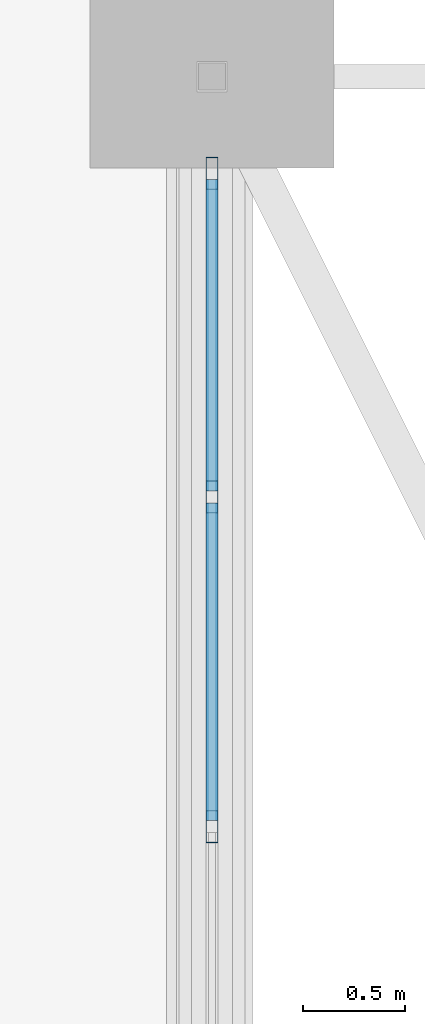
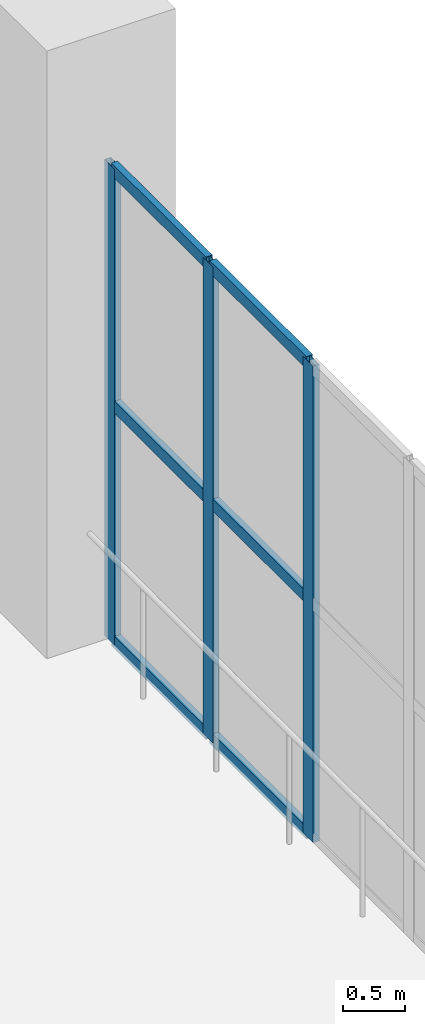
# One storey, part 116 of 223: 9 members, 1 element without a shape of its own.
"""IFC4 building model written with IfcOpenShell, lengths in metres."""

from ifc_helpers import new_model, si_unit, direction, frame, origin, origin_2d, place, context, subcontext, project, spatial, hollow_rectangle, extrude, material, layer, layer_set, material_profile, profile_set, type_object, element, aggregate, save


model = new_model("IFC4")

# Units and contexts
model_context = context("Model", 3, precision=1e-05, world=origin(), true_north=direction((0.0, 1.0)))
body_context = subcontext(model_context, "Body", "Model", "MODEL_VIEW")
ifc_project = project(units=[si_unit("LENGTHUNIT", "METRE"), si_unit("AREAUNIT", "SQUARE_METRE"), si_unit("VOLUMEUNIT", "CUBIC_METRE"), si_unit("PLANEANGLEUNIT", "RADIAN"), si_unit("MASSUNIT", "GRAM", prefix="KILO")], contexts=[model_context])

# Site, building, storey
site_placement = place(None, origin())
site = spatial("IfcSite", under=ifc_project, at=site_placement, CompositionType="ELEMENT")
building_placement = place(site_placement, origin())
building = spatial("IfcBuilding", under=site, at=building_placement, Name="Dornveld Trade and Exhibition Forum", CompositionType="ELEMENT")
storey_placement = place(building_placement, frame((0.0, 0.0, 6.0)))
storey = spatial("IfcBuildingStorey", under=building, at=storey_placement, Name="L01", CompositionType="ELEMENT", Elevation=6.0)

# Curtain wall, members
ifc_material_1 = material(Name="Dark-bronze anodised aluminium and low-E glass", Category="aluminium")
ifc_layer = layer(ifc_material_1, 0.18408203125)
ifc_layer_set = layer_set([ifc_layer], Name="Dark-bronze anodised aluminium and low-E glass")
curtain_wall_type = type_object("IfcCurtainWallType", Name="CW-SYS-14", PredefinedType="USERDEFINED", material=ifc_layer_set)
curtain_wall_placement = place(storey_placement, origin())
curtain_wall = element("IfcCurtainWall", 1, at=curtain_wall_placement, inside=storey, type_object=curtain_wall_type, Name="L01 unitised curtain wall 14", ObjectType="UNITISED_CURTAIN_WALL", PredefinedType="USERDEFINED")
ifc_material_2 = material(Name="Dark-bronze anodised aluminium", Category="aluminium")
ifc_material_profile_1 = material_profile(ifc_material_2, hollow_rectangle(XDim=0.06005859375, YDim=0.159912109375, WallThickness=0.00390625, at=origin_2d()), Name="RHS 160x60x4")
ifc_profile_set_1 = profile_set([ifc_material_profile_1], Name="Dark-bronze anodised aluminium")
member_type_1 = type_object("IfcMemberType", Name="CW-MUL-160", PredefinedType="MULLION", material=ifc_profile_set_1)
member_1_placement = place(storey_placement, frame((99.0, 143.52392578125, -0.00390625), z_axis=(0.0, 0.0, 1.0), x_axis=(1.0, 0.0, 0.0)))
member_1 = element("IfcMember", 2, at=member_1_placement, type_object=member_type_1, Name="CW-14 mullion 1", PredefinedType="MULLION", context=body_context, shape_type="SweptSolid", body=[
    extrude(hollow_rectangle(XDim=0.06005859375, YDim=0.159912109375, WallThickness=0.00390625, at=origin_2d()), origin(), (0.0, 0.0, 1.0), 4.703857421875),
])
member_2_placement = place(storey_placement, frame((99.0, 141.932373046875, -0.00390625), z_axis=(0.0, 0.0, 1.0), x_axis=(1.0, 0.0, 0.0)))
member_2 = element("IfcMember", 3, at=member_2_placement, type_object=member_type_1, Name="CW-14 mullion 2", PredefinedType="MULLION", context=body_context, shape_type="SweptSolid", body=[
    extrude(hollow_rectangle(XDim=0.06005859375, YDim=0.159912109375, WallThickness=0.00390625, at=origin_2d()), origin(), (0.0, 0.0, 1.0), 4.703857421875),
])
member_3_placement = place(storey_placement, frame((99.0, 140.310791015625, -0.00390625), z_axis=(0.0, 0.0, 1.0), x_axis=(1.0, 0.0, 0.0)))
member_3 = element("IfcMember", 4, at=member_3_placement, type_object=member_type_1, Name="CW-14 mullion 3", PredefinedType="MULLION", context=body_context, shape_type="SweptSolid", body=[
    extrude(hollow_rectangle(XDim=0.06005859375, YDim=0.159912109375, WallThickness=0.00390625, at=origin_2d()), origin(), (0.0, 0.0, 1.0), 4.703857421875),
])
ifc_material_3 = material(Name="Dark-bronze anodised aluminium", Category="aluminium")
ifc_material_profile_2 = material_profile(ifc_material_3, hollow_rectangle(XDim=0.06005859375, YDim=0.1201171875, WallThickness=0.00390625, at=origin_2d()), Name="RHS 120x60x4")
ifc_profile_set_2 = profile_set([ifc_material_profile_2], Name="Dark-bronze anodised aluminium")
member_type_2 = type_object("IfcMemberType", Name="CW-TRN-120", PredefinedType="USERDEFINED", material=ifc_profile_set_2)
member_4_placement = place(storey_placement, frame((99.0, 143.493896484375, 0.02587890625), z_axis=(0.0, -1.0, 0.0), x_axis=(1.0, 0.0, 0.0)))
member_4 = element("IfcMember", 5, at=member_4_placement, type_object=member_type_2, Name="CW-14 transom 1.1", ObjectType="TRANSOM", PredefinedType="USERDEFINED", context=body_context, shape_type="SweptSolid", body=[
    extrude(hollow_rectangle(XDim=0.06005859375, YDim=0.1201171875, WallThickness=0.00390625, at=origin_2d()), origin(), (0.0, 0.0, 1.0), 1.531494140625),
])
member_5_placement = place(storey_placement, frame((99.0, 143.493896484375, 2.347900390625), z_axis=(0.0, -1.0, 0.0), x_axis=(1.0, 0.0, 0.0)))
member_5 = element("IfcMember", 6, at=member_5_placement, type_object=member_type_2, Name="CW-14 transom 1.2", ObjectType="TRANSOM", PredefinedType="USERDEFINED", context=body_context, shape_type="SweptSolid", body=[
    extrude(hollow_rectangle(XDim=0.06005859375, YDim=0.1201171875, WallThickness=0.00390625, at=origin_2d()), origin(), (0.0, 0.0, 1.0), 1.531494140625),
])
member_6_placement = place(storey_placement, frame((99.0, 143.493896484375, 4.669921875), z_axis=(0.0, -1.0, 0.0), x_axis=(1.0, 0.0, 0.0)))
member_6 = element("IfcMember", 7, at=member_6_placement, type_object=member_type_2, Name="CW-14 transom 1.3", ObjectType="TRANSOM", PredefinedType="USERDEFINED", context=body_context, shape_type="SweptSolid", body=[
    extrude(hollow_rectangle(XDim=0.06005859375, YDim=0.1201171875, WallThickness=0.00390625, at=origin_2d()), origin(), (0.0, 0.0, 1.0), 1.531494140625),
])
member_7_placement = place(storey_placement, frame((99.0, 141.90234375, 0.02587890625), z_axis=(0.0, -1.0, 0.0), x_axis=(1.0, 0.0, 0.0)))
member_7 = element("IfcMember", 8, at=member_7_placement, type_object=member_type_2, Name="CW-14 transom 2.1", ObjectType="TRANSOM", PredefinedType="USERDEFINED", context=body_context, shape_type="SweptSolid", body=[
    extrude(hollow_rectangle(XDim=0.06005859375, YDim=0.1201171875, WallThickness=0.00390625, at=origin_2d()), origin(), (0.0, 0.0, 1.0), 1.5615234375),
])
member_8_placement = place(storey_placement, frame((99.0, 141.90234375, 2.347900390625), z_axis=(0.0, -1.0, 0.0), x_axis=(1.0, 0.0, 0.0)))
member_8 = element("IfcMember", 9, at=member_8_placement, type_object=member_type_2, Name="CW-14 transom 2.2", ObjectType="TRANSOM", PredefinedType="USERDEFINED", context=body_context, shape_type="SweptSolid", body=[
    extrude(hollow_rectangle(XDim=0.06005859375, YDim=0.1201171875, WallThickness=0.00390625, at=origin_2d()), origin(), (0.0, 0.0, 1.0), 1.5615234375),
])
member_9_placement = place(storey_placement, frame((99.0, 141.90234375, 4.669921875), z_axis=(0.0, -1.0, 0.0), x_axis=(1.0, 0.0, 0.0)))
member_9 = element("IfcMember", 10, at=member_9_placement, type_object=member_type_2, Name="CW-14 transom 2.3", ObjectType="TRANSOM", PredefinedType="USERDEFINED", context=body_context, shape_type="SweptSolid", body=[
    extrude(hollow_rectangle(XDim=0.06005859375, YDim=0.1201171875, WallThickness=0.00390625, at=origin_2d()), origin(), (0.0, 0.0, 1.0), 1.5615234375),
])
aggregate(curtain_wall, [member_1, member_2, member_3, member_4, member_5, member_6, member_7, member_8, member_9])

save(model, "model.ifc")
